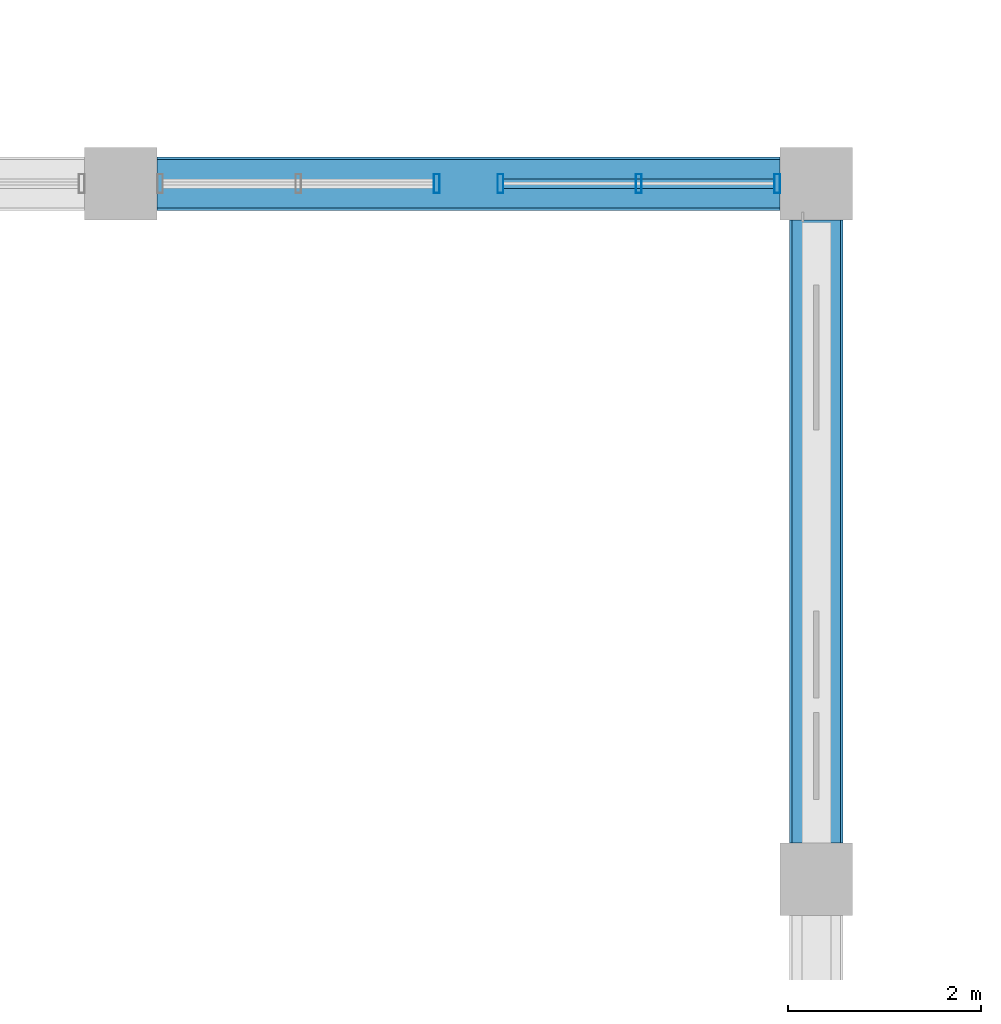
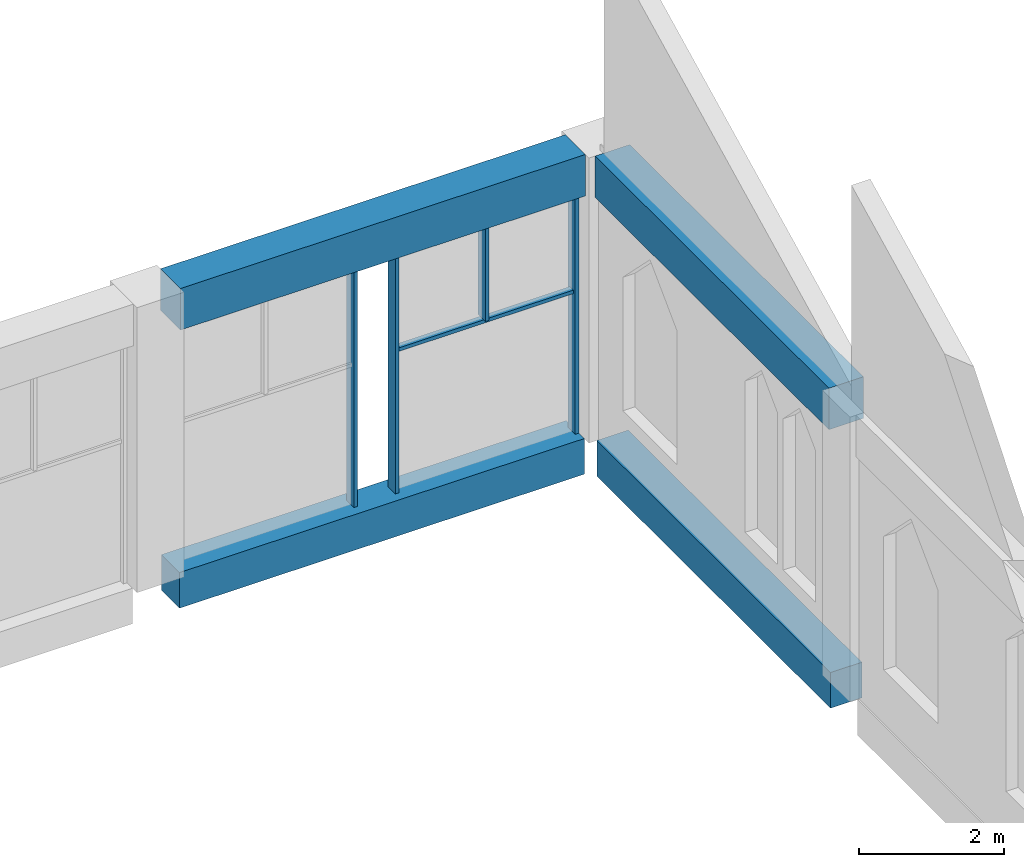
# One storey, part 14 of 31: 5 members, 4 beams, 2 elements without a shape of their own.
"""IFC4 building model written with IfcOpenShell, lengths in metres."""

from ifc_helpers import new_model, si_unit, direction, frame, origin, origin_2d, place, context, subcontext, project, spatial, rectangle, hollow_rectangle, extrude, material, material_profile, profile_set, type_object, element, aggregate, save


model = new_model("IFC4")

# Units and contexts
model_context = context("Model", 3, precision=1e-05, world=origin(), true_north=direction((0.0, 1.0)))
body_context = subcontext(model_context, "Body", "Model", "MODEL_VIEW")
ifc_project = project(units=[si_unit("LENGTHUNIT", "METRE"), si_unit("AREAUNIT", "SQUARE_METRE"), si_unit("VOLUMEUNIT", "CUBIC_METRE"), si_unit("PLANEANGLEUNIT", "RADIAN"), si_unit("MASSUNIT", "GRAM", prefix="KILO")], contexts=[model_context])

# Site, building, storey
site_placement = place(None, origin())
site = spatial("IfcSite", under=ifc_project, at=site_placement, CompositionType="ELEMENT")
building_placement = place(site_placement, origin())
building = spatial("IfcBuilding", under=site, at=building_placement, Name="Silangan Lancet Faculty of Sciences", CompositionType="ELEMENT")
storey_placement = place(building_placement, frame((0.0, 0.0, 36.0)))
storey = spatial("IfcBuildingStorey", under=building, at=storey_placement, Name="L07", CompositionType="ELEMENT", Elevation=36.0)

# Beams
ifc_material_1 = material(Name="Concrete C40/50", Category="concrete")
ifc_material_profile_1 = material_profile(ifc_material_1, rectangle(XDim=0.5, YDim=0.60009765625, at=origin_2d()), Name="RC 500x600")
ifc_profile_set_1 = profile_set([ifc_material_profile_1], Name="Concrete C40/50")
beam_type_1 = type_object("IfcBeamType", Name="BEAM RC 500x600", PredefinedType="BEAM", material=ifc_profile_set_1)
for number, where, z_axis, x_axis, name in (
    (1, (43.574951171875, 36.0, -0.300048828125), (1.0, 0.0, 0.0), (0.0, 1.0, 0.0), "BM-L07-7F-8F"),
    (2, (50.39990234375, 29.175048828125, -0.300048828125), (0.0, 1.0, 0.0), (-1.0, 0.0, 0.0), "BM-L07-8E-8F"),
):
    element("IfcBeam", number, at=place(storey_placement, frame(where, z_axis=z_axis, x_axis=x_axis)), inside=storey, type_object=beam_type_1, Name=name, PredefinedType="BEAM", context=body_context, shape_type="SweptSolid", body=[
        extrude(rectangle(XDim=0.5, YDim=0.60009765625, at=origin_2d()), origin(), (0.0, 0.0, 1.0), 6.449951171875),
    ])
ifc_material_2 = material(Name="Concrete C40/50", Category="concrete")
ifc_material_profile_2 = material_profile(ifc_material_2, rectangle(XDim=0.550048828125, YDim=0.699951171875, at=origin_2d()), Name="RC 550x700")
ifc_profile_set_2 = profile_set([ifc_material_profile_2], Name="Concrete C40/50")
beam_type_2 = type_object("IfcBeamType", Name="BEAM RC 550x700", PredefinedType="BEAM", material=ifc_profile_set_2)
for number, where, z_axis, x_axis, name in (
    (3, (50.39990234375, 29.175048828125, 4.449951171875), (0.0, 1.0, 0.0), (-1.0, 0.0, 0.0), "RB-L07-8E-8F"),
    (4, (43.574951171875, 36.0, 4.449951171875), (1.0, 0.0, 0.0), (0.0, 1.0, 0.0), "RB-L07-7F-8F"),
):
    element("IfcBeam", number, at=place(storey_placement, frame(where, z_axis=z_axis, x_axis=x_axis)), inside=storey, type_object=beam_type_2, Name=name, PredefinedType="BEAM", context=body_context, shape_type="SweptSolid", body=[
        extrude(rectangle(XDim=0.550048828125, YDim=0.699951171875, at=origin_2d()), origin(), (0.0, 0.0, 1.0), 6.449951171875),
    ])

# Curtain wall, members
ifc_material_3 = material(Name="Aluminium framed curtain wall with insulated glass", Category="aluminium")
curtain_wall_type = type_object("IfcCurtainWallType", Name="CW5 Nave north light glazing", PredefinedType="NOTDEFINED", material=ifc_material_3)
curtain_wall_1_placement = place(storey_placement, origin())
curtain_wall_1 = element("IfcCurtainWall", 5, at=curtain_wall_1_placement, inside=storey, type_object=curtain_wall_type, Name="CW5 Nave north lights L07 bay 1", PredefinedType="NOTDEFINED")
ifc_material_4 = material(Name="Aluminium 6063-T6 extrusion", Category="aluminium")
ifc_material_profile_3 = material_profile(ifc_material_4, hollow_rectangle(XDim=0.06005859375, YDim=0.199951171875, WallThickness=0.00390625, at=origin_2d()), Name="AL BOX 60x200x4")
ifc_profile_set_3 = profile_set([ifc_material_profile_3], Name="Aluminium 6063-T6 extrusion")
member_type_1 = type_object("IfcMemberType", Name="CM1 Mullion 60x200", PredefinedType="MULLION", material=ifc_profile_set_3)
member_1_placement = place(storey_placement, frame((49.9951171875, 36.0, 0.0), z_axis=(0.0, 0.0, 1.0), x_axis=(-1.0, 0.0, 0.0)))
member_1 = element("IfcMember", 6, at=member_1_placement, type_object=member_type_1, Name="CW5 Nave north lights L07 bay 1 mullion 1", PredefinedType="MULLION", context=body_context, shape_type="SweptSolid", body=[
    extrude(hollow_rectangle(XDim=0.06005859375, YDim=0.199951171875, WallThickness=0.00390625, at=origin_2d()), origin(), (0.0, 0.0, 1.0), 4.10009765625),
])
member_2_placement = place(storey_placement, frame((47.1298828125, 36.0, 0.0), z_axis=(0.0, 0.0, 1.0), x_axis=(-1.0, 0.0, 0.0)))
member_2 = element("IfcMember", 7, at=member_2_placement, type_object=member_type_1, Name="CW5 Nave north lights L07 bay 1 mullion 2", PredefinedType="MULLION", context=body_context, shape_type="SweptSolid", body=[
    extrude(hollow_rectangle(XDim=0.06005859375, YDim=0.199951171875, WallThickness=0.00390625, at=origin_2d()), origin(), (0.0, 0.0, 1.0), 4.10009765625),
])
member_3_placement = place(storey_placement, frame((48.5625, 36.0, 2.39990234375), z_axis=(0.0, 0.0, 1.0), x_axis=(-1.0, 0.0, 0.0)))
member_3 = element("IfcMember", 8, at=member_3_placement, type_object=member_type_1, Name="CW5 Nave north lights L07 bay 1 mullion 3", PredefinedType="MULLION", context=body_context, shape_type="SweptSolid", body=[
    extrude(hollow_rectangle(XDim=0.06005859375, YDim=0.199951171875, WallThickness=0.00390625, at=origin_2d()), origin(), (0.0, 0.0, 1.0), 1.7001953125),
])

# Curtain wall, member
curtain_wall_2_placement = place(storey_placement, origin())
curtain_wall_2 = element("IfcCurtainWall", 9, at=curtain_wall_2_placement, inside=storey, type_object=curtain_wall_type, Name="CW5 Nave north lights L07 bay 2", PredefinedType="NOTDEFINED")
member_4_placement = place(storey_placement, frame((46.469970703125, 36.0, 0.0), z_axis=(0.0, 0.0, 1.0), x_axis=(-1.0, 0.0, 0.0)))
member_4 = element("IfcMember", 10, at=member_4_placement, type_object=member_type_1, Name="CW5 Nave north lights L07 bay 2 mullion 1", PredefinedType="MULLION", context=body_context, shape_type="SweptSolid", body=[
    extrude(hollow_rectangle(XDim=0.06005859375, YDim=0.199951171875, WallThickness=0.00390625, at=origin_2d()), origin(), (0.0, 0.0, 1.0), 4.10009765625),
])
aggregate(curtain_wall_2, [member_4])

# Member
ifc_material_5 = material(Name="Aluminium 6063-T6 extrusion", Category="aluminium")
ifc_material_profile_4 = material_profile(ifc_material_5, hollow_rectangle(XDim=0.10009765625, YDim=0.06005859375, WallThickness=0.0029296875, at=origin_2d()), Name="AL BOX 100x60x3")
ifc_profile_set_4 = profile_set([ifc_material_profile_4], Name="Aluminium 6063-T6 extrusion")
member_type_2 = type_object("IfcMemberType", Name="CT1 Transom 100x60", PredefinedType="USERDEFINED", material=ifc_profile_set_4)
member_5_placement = place(storey_placement, frame((49.965087890625, 36.0, 2.3701171875), z_axis=(-1.0, 0.0, 0.0), x_axis=(0.0, -1.0, 0.0)))
member_5 = element("IfcMember", 11, at=member_5_placement, type_object=member_type_2, Name="CW5 Nave north lights L07 bay 1 transom 1", ObjectType="TRANSOM", PredefinedType="USERDEFINED", context=body_context, shape_type="SweptSolid", body=[
    extrude(hollow_rectangle(XDim=0.10009765625, YDim=0.06005859375, WallThickness=0.0029296875, at=origin_2d()), origin(), (0.0, 0.0, 1.0), 2.80517578125),
])

aggregate(curtain_wall_1, [member_1, member_2, member_3, member_5])

save(model, "model.ifc")
